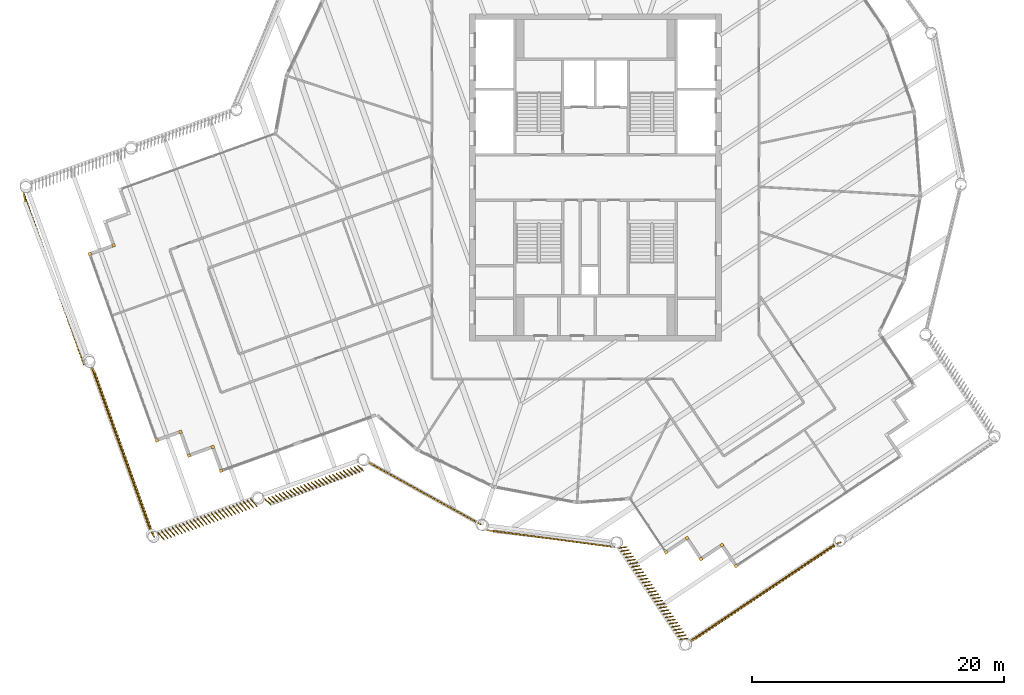
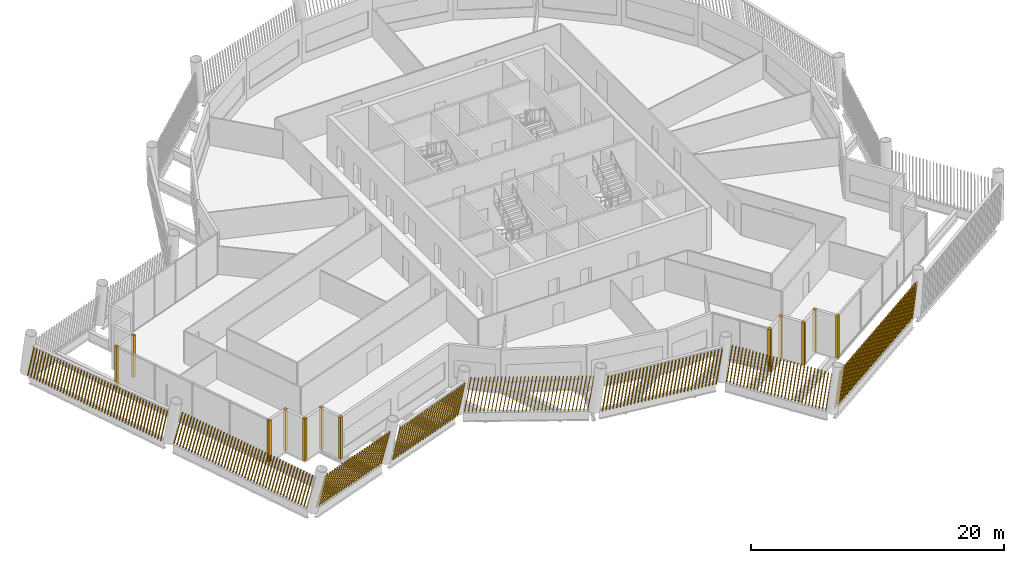
# One storey, part 24 of 28: 20 shading devices.
"""IFC4 building model written with IfcOpenShell, lengths in metres."""

from ifc_helpers import new_model, si_unit, direction, frame, frame_2d, origin, origin_2d, place, context, subcontext, project, spatial, rectangle, composite_profile, extrude, material, type_object, element, save


model = new_model("IFC4")

# Units and contexts
model_context = context("Model", 3, precision=1e-05, world=origin(), true_north=direction((0.0, 1.0)))
body_context = subcontext(model_context, "Body", "Model", "MODEL_VIEW")
ifc_project = project(units=[si_unit("LENGTHUNIT", "METRE"), si_unit("AREAUNIT", "SQUARE_METRE"), si_unit("VOLUMEUNIT", "CUBIC_METRE"), si_unit("PLANEANGLEUNIT", "RADIAN"), si_unit("MASSUNIT", "GRAM", prefix="KILO")], contexts=[model_context])

# Site, building, storey
site_placement = place(None, origin())
site = spatial("IfcSite", under=ifc_project, at=site_placement, CompositionType="ELEMENT")
building_placement = place(site_placement, origin())
building = spatial("IfcBuilding", under=site, at=building_placement, Name="Tarsis Ring Headquarters", CompositionType="ELEMENT")
storey_placement = place(building_placement, frame((0.0, 0.0, 365.0)))
storey = spatial("IfcBuildingStorey", under=building, at=storey_placement, Name="L86", CompositionType="ELEMENT", Elevation=365.0)

# Shading devices
ifc_material = material(Name="Terracotta baguette", Category="masonry")
shading_device_type_1 = type_object("IfcShadingDeviceType", Name="Terracotta baguette screen", PredefinedType="USERDEFINED", material=ifc_material)
shading_device_1_placement = place(storey_placement, frame((-8.645751953125, -28.0263671875, 0.0), z_axis=(0.0, 0.0, 1.0), x_axis=(0.991305434104, -0.131492816989, 0.0)))
element("IfcShadingDevice", 1, at=shading_device_1_placement, inside=storey, type_object=shading_device_type_1, Name="Baguette screen L86-00", ObjectType="Terracotta baguette screen", PredefinedType="USERDEFINED", context=body_context, shape_type="SweptSolid", body=[
    extrude(composite_profile([rectangle(XDim=0.06005859375, YDim=0.1201171875, at=frame_2d((0.030029296875, 0.0))), rectangle(XDim=0.06005859375, YDim=0.1201171875, at=frame_2d((0.33349609375, 0.0))), rectangle(XDim=0.06005859375, YDim=0.1201171875, at=frame_2d((0.636962890625, 0.0))), rectangle(XDim=0.06005859375, YDim=0.1201171875, at=frame_2d((0.9404296875, 0.0))), rectangle(XDim=0.06005859375, YDim=0.1201171875, at=frame_2d((1.243896484375, 0.0))), rectangle(XDim=0.06005859375, YDim=0.1201171875, at=frame_2d((1.54736328125, 0.0))), rectangle(XDim=0.06005859375, YDim=0.1201171875, at=frame_2d((1.85107421875, 0.0))), rectangle(XDim=0.06005859375, YDim=0.1201171875, at=frame_2d((2.154541015625, 0.0))), rectangle(XDim=0.06005859375, YDim=0.1201171875, at=frame_2d((2.4580078125, 0.0))), rectangle(XDim=0.06005859375, YDim=0.1201171875, at=frame_2d((2.761474609375, 0.0))), rectangle(XDim=0.06005859375, YDim=0.1201171875, at=frame_2d((3.06494140625, 0.0))), rectangle(XDim=0.06005859375, YDim=0.1201171875, at=frame_2d((3.368408203125, 0.0))), rectangle(XDim=0.06005859375, YDim=0.1201171875, at=frame_2d((3.671875, 0.0))), rectangle(XDim=0.06005859375, YDim=0.1201171875, at=frame_2d((3.975341796875, 0.0))), rectangle(XDim=0.06005859375, YDim=0.1201171875, at=frame_2d((4.27880859375, 0.0))), rectangle(XDim=0.06005859375, YDim=0.1201171875, at=frame_2d((4.582275390625, 0.0))), rectangle(XDim=0.06005859375, YDim=0.1201171875, at=frame_2d((4.8857421875, 0.0))), rectangle(XDim=0.06005859375, YDim=0.1201171875, at=frame_2d((5.189453125, 0.0))), rectangle(XDim=0.06005859375, YDim=0.1201171875, at=frame_2d((5.492919921875, 0.0))), rectangle(XDim=0.06005859375, YDim=0.1201171875, at=frame_2d((5.79638671875, 0.0))), rectangle(XDim=0.06005859375, YDim=0.1201171875, at=frame_2d((6.099853515625, 0.0))), rectangle(XDim=0.06005859375, YDim=0.1201171875, at=frame_2d((6.4033203125, 0.0))), rectangle(XDim=0.06005859375, YDim=0.1201171875, at=frame_2d((6.706787109375, 0.0))), rectangle(XDim=0.06005859375, YDim=0.1201171875, at=frame_2d((7.01025390625, 0.0))), rectangle(XDim=0.06005859375, YDim=0.1201171875, at=frame_2d((7.313720703125, 0.0))), rectangle(XDim=0.06005859375, YDim=0.1201171875, at=frame_2d((7.6171875, 0.0))), rectangle(XDim=0.06005859375, YDim=0.1201171875, at=frame_2d((7.920654296875, 0.0))), rectangle(XDim=0.06005859375, YDim=0.1201171875, at=frame_2d((8.224365234375, 0.0))), rectangle(XDim=0.06005859375, YDim=0.1201171875, at=frame_2d((8.52783203125, 0.0))), rectangle(XDim=0.06005859375, YDim=0.1201171875, at=frame_2d((8.831298828125, 0.0))), rectangle(XDim=0.06005859375, YDim=0.1201171875, at=frame_2d((9.134765625, 0.0))), rectangle(XDim=0.06005859375, YDim=0.1201171875, at=frame_2d((9.438232421875, 0.0))), rectangle(XDim=0.06005859375, YDim=0.1201171875, at=frame_2d((9.74169921875, 0.0)))]), origin(), (0.157996006674, 0.001436631232, 0.987438705929), 3.322265625),
])
shading_device_2_placement = place(storey_placement, frame((1.864013671875, -29.4208984375, 0.0), z_axis=(0.0, 0.0, 1.0), x_axis=(0.555721931065, -0.831378421096, 0.0)))
element("IfcShadingDevice", 2, at=shading_device_2_placement, inside=storey, type_object=shading_device_type_1, Name="Baguette screen L86-01", ObjectType="Terracotta baguette screen", PredefinedType="USERDEFINED", context=body_context, shape_type="SweptSolid", body=[
    extrude(composite_profile([rectangle(XDim=0.06005859375, YDim=0.1201171875, at=frame_2d((0.030029296875, 0.0))), rectangle(XDim=0.06005859375, YDim=0.1201171875, at=frame_2d((0.33154296875, 0.0))), rectangle(XDim=0.06005859375, YDim=0.1201171875, at=frame_2d((0.633056640625, 0.0))), rectangle(XDim=0.06005859375, YDim=0.1201171875, at=frame_2d((0.9345703125, 0.0))), rectangle(XDim=0.06005859375, YDim=0.1201171875, at=frame_2d((1.236083984375, 0.0))), rectangle(XDim=0.06005859375, YDim=0.1201171875, at=frame_2d((1.53759765625, 0.0))), rectangle(XDim=0.06005859375, YDim=0.1201171875, at=frame_2d((1.839111328125, 0.0))), rectangle(XDim=0.06005859375, YDim=0.1201171875, at=frame_2d((2.140625, 0.0))), rectangle(XDim=0.06005859375, YDim=0.1201171875, at=frame_2d((2.442138671875, 0.0))), rectangle(XDim=0.06005859375, YDim=0.1201171875, at=frame_2d((2.74365234375, 0.0))), rectangle(XDim=0.06005859375, YDim=0.1201171875, at=frame_2d((3.045166015625, 0.0))), rectangle(XDim=0.06005859375, YDim=0.1201171875, at=frame_2d((3.3466796875, 0.0))), rectangle(XDim=0.06005859375, YDim=0.1201171875, at=frame_2d((3.648193359375, 0.0))), rectangle(XDim=0.06005859375, YDim=0.1201171875, at=frame_2d((3.94970703125, 0.0))), rectangle(XDim=0.06005859375, YDim=0.1201171875, at=frame_2d((4.251220703125, 0.0))), rectangle(XDim=0.06005859375, YDim=0.1201171875, at=frame_2d((4.552978515625, 0.0))), rectangle(XDim=0.06005859375, YDim=0.1201171875, at=frame_2d((4.8544921875, 0.0))), rectangle(XDim=0.06005859375, YDim=0.1201171875, at=frame_2d((5.156005859375, 0.0))), rectangle(XDim=0.06005859375, YDim=0.1201171875, at=frame_2d((5.45751953125, 0.0))), rectangle(XDim=0.06005859375, YDim=0.1201171875, at=frame_2d((5.759033203125, 0.0))), rectangle(XDim=0.06005859375, YDim=0.1201171875, at=frame_2d((6.060546875, 0.0))), rectangle(XDim=0.06005859375, YDim=0.1201171875, at=frame_2d((6.362060546875, 0.0))), rectangle(XDim=0.06005859375, YDim=0.1201171875, at=frame_2d((6.66357421875, 0.0))), rectangle(XDim=0.06005859375, YDim=0.1201171875, at=frame_2d((6.965087890625, 0.0))), rectangle(XDim=0.06005859375, YDim=0.1201171875, at=frame_2d((7.2666015625, 0.0))), rectangle(XDim=0.06005859375, YDim=0.1201171875, at=frame_2d((7.568115234375, 0.0))), rectangle(XDim=0.06005859375, YDim=0.1201171875, at=frame_2d((7.86962890625, 0.0))), rectangle(XDim=0.06005859375, YDim=0.1201171875, at=frame_2d((8.171142578125, 0.0))), rectangle(XDim=0.06005859375, YDim=0.1201171875, at=frame_2d((8.47265625, 0.0))), rectangle(XDim=0.06005859375, YDim=0.1201171875, at=frame_2d((8.774169921875, 0.0)))]), origin(), (0.079050036006, 0.163402281674, 0.983387403901), 3.3359375),
])
shading_device_3_placement = place(storey_placement, frame((7.4501953125, -36.87841796875, 0.0), z_axis=(0.0, 0.0, 1.0), x_axis=(0.83138136013, 0.555710848489, 0.0)))
element("IfcShadingDevice", 3, at=shading_device_3_placement, inside=storey, type_object=shading_device_type_1, Name="Baguette screen L86-02", ObjectType="Terracotta baguette screen", PredefinedType="USERDEFINED", context=body_context, shape_type="SweptSolid", body=[
    extrude(composite_profile([rectangle(XDim=0.06005859375, YDim=0.1201171875, at=frame_2d((0.030029296875, 0.0))), rectangle(XDim=0.06005859375, YDim=0.1201171875, at=frame_2d((0.33544921875, 0.0))), rectangle(XDim=0.06005859375, YDim=0.1201171875, at=frame_2d((0.640625, 0.0))), rectangle(XDim=0.06005859375, YDim=0.1201171875, at=frame_2d((0.946044921875, 0.0))), rectangle(XDim=0.06005859375, YDim=0.1201171875, at=frame_2d((1.25146484375, 0.0))), rectangle(XDim=0.06005859375, YDim=0.1201171875, at=frame_2d((1.556640625, 0.0))), rectangle(XDim=0.06005859375, YDim=0.1201171875, at=frame_2d((1.862060546875, 0.0))), rectangle(XDim=0.06005859375, YDim=0.1201171875, at=frame_2d((2.16748046875, 0.0))), rectangle(XDim=0.06005859375, YDim=0.1201171875, at=frame_2d((2.47265625, 0.0))), rectangle(XDim=0.06005859375, YDim=0.1201171875, at=frame_2d((2.778076171875, 0.0))), rectangle(XDim=0.06005859375, YDim=0.1201171875, at=frame_2d((3.08349609375, 0.0))), rectangle(XDim=0.06005859375, YDim=0.1201171875, at=frame_2d((3.388671875, 0.0))), rectangle(XDim=0.06005859375, YDim=0.1201171875, at=frame_2d((3.694091796875, 0.0))), rectangle(XDim=0.06005859375, YDim=0.1201171875, at=frame_2d((3.99951171875, 0.0))), rectangle(XDim=0.06005859375, YDim=0.1201171875, at=frame_2d((4.3046875, 0.0))), rectangle(XDim=0.06005859375, YDim=0.1201171875, at=frame_2d((4.610107421875, 0.0))), rectangle(XDim=0.06005859375, YDim=0.1201171875, at=frame_2d((4.91552734375, 0.0))), rectangle(XDim=0.06005859375, YDim=0.1201171875, at=frame_2d((5.220703125, 0.0))), rectangle(XDim=0.06005859375, YDim=0.1201171875, at=frame_2d((5.526123046875, 0.0))), rectangle(XDim=0.06005859375, YDim=0.1201171875, at=frame_2d((5.83154296875, 0.0))), rectangle(XDim=0.06005859375, YDim=0.1201171875, at=frame_2d((6.13671875, 0.0))), rectangle(XDim=0.06005859375, YDim=0.1201171875, at=frame_2d((6.442138671875, 0.0))), rectangle(XDim=0.06005859375, YDim=0.1201171875, at=frame_2d((6.74755859375, 0.0))), rectangle(XDim=0.06005859375, YDim=0.1201171875, at=frame_2d((7.052734375, 0.0))), rectangle(XDim=0.06005859375, YDim=0.1201171875, at=frame_2d((7.358154296875, 0.0))), rectangle(XDim=0.06005859375, YDim=0.1201171875, at=frame_2d((7.66357421875, 0.0))), rectangle(XDim=0.06005859375, YDim=0.1201171875, at=frame_2d((7.96875, 0.0))), rectangle(XDim=0.06005859375, YDim=0.1201171875, at=frame_2d((8.274169921875, 0.0))), rectangle(XDim=0.06005859375, YDim=0.1201171875, at=frame_2d((8.57958984375, 0.0))), rectangle(XDim=0.06005859375, YDim=0.1201171875, at=frame_2d((8.884765625, 0.0))), rectangle(XDim=0.06005859375, YDim=0.1201171875, at=frame_2d((9.190185546875, 0.0))), rectangle(XDim=0.06005859375, YDim=0.1201171875, at=frame_2d((9.49560546875, 0.0))), rectangle(XDim=0.06005859375, YDim=0.1201171875, at=frame_2d((9.80078125, 0.0))), rectangle(XDim=0.06005859375, YDim=0.1201171875, at=frame_2d((10.106201171875, 0.0))), rectangle(XDim=0.06005859375, YDim=0.1201171875, at=frame_2d((10.41162109375, 0.0))), rectangle(XDim=0.06005859375, YDim=0.1201171875, at=frame_2d((10.716796875, 0.0))), rectangle(XDim=0.06005859375, YDim=0.1201171875, at=frame_2d((11.022216796875, 0.0))), rectangle(XDim=0.06005859375, YDim=0.1201171875, at=frame_2d((11.32763671875, 0.0))), rectangle(XDim=0.06005859375, YDim=0.1201171875, at=frame_2d((11.6328125, 0.0))), rectangle(XDim=0.06005859375, YDim=0.1201171875, at=frame_2d((11.938232421875, 0.0))), rectangle(XDim=0.06005859375, YDim=0.1201171875, at=frame_2d((12.24365234375, 0.0))), rectangle(XDim=0.06005859375, YDim=0.1201171875, at=frame_2d((12.548828125, 0.0))), rectangle(XDim=0.06005859375, YDim=0.1201171875, at=frame_2d((12.854248046875, 0.0))), rectangle(XDim=0.06005859375, YDim=0.1201171875, at=frame_2d((13.15966796875, 0.0))), rectangle(XDim=0.06005859375, YDim=0.1201171875, at=frame_2d((13.46484375, 0.0))), rectangle(XDim=0.06005859375, YDim=0.1201171875, at=frame_2d((13.770263671875, 0.0)))]), origin(), (0.189281231167, -0.03845566666, 0.981169596568), 3.343505859375),
])
shading_device_4_placement = place(storey_placement, frame((-45.46728515625, -1.138671875, 0.0), z_axis=(0.0, 0.0, 1.0), x_axis=(0.338086476541, -0.941122355106, 0.0)))
element("IfcShadingDevice", 4, at=shading_device_4_placement, inside=storey, type_object=shading_device_type_1, Name="Baguette screen L86-15", ObjectType="Terracotta baguette screen", PredefinedType="USERDEFINED", context=body_context, shape_type="SweptSolid", body=[
    extrude(composite_profile([rectangle(XDim=0.06005859375, YDim=0.1201171875, at=frame_2d((0.030029296875, 0.0))), rectangle(XDim=0.06005859375, YDim=0.1201171875, at=frame_2d((0.33544921875, 0.0))), rectangle(XDim=0.06005859375, YDim=0.1201171875, at=frame_2d((0.640625, 0.0))), rectangle(XDim=0.06005859375, YDim=0.1201171875, at=frame_2d((0.946044921875, 0.0))), rectangle(XDim=0.06005859375, YDim=0.1201171875, at=frame_2d((1.25146484375, 0.0))), rectangle(XDim=0.06005859375, YDim=0.1201171875, at=frame_2d((1.556640625, 0.0))), rectangle(XDim=0.06005859375, YDim=0.1201171875, at=frame_2d((1.862060546875, 0.0))), rectangle(XDim=0.06005859375, YDim=0.1201171875, at=frame_2d((2.16748046875, 0.0))), rectangle(XDim=0.06005859375, YDim=0.1201171875, at=frame_2d((2.47265625, 0.0))), rectangle(XDim=0.06005859375, YDim=0.1201171875, at=frame_2d((2.778076171875, 0.0))), rectangle(XDim=0.06005859375, YDim=0.1201171875, at=frame_2d((3.08349609375, 0.0))), rectangle(XDim=0.06005859375, YDim=0.1201171875, at=frame_2d((3.388671875, 0.0))), rectangle(XDim=0.06005859375, YDim=0.1201171875, at=frame_2d((3.694091796875, 0.0))), rectangle(XDim=0.06005859375, YDim=0.1201171875, at=frame_2d((3.99951171875, 0.0))), rectangle(XDim=0.06005859375, YDim=0.1201171875, at=frame_2d((4.3046875, 0.0))), rectangle(XDim=0.06005859375, YDim=0.1201171875, at=frame_2d((4.610107421875, 0.0))), rectangle(XDim=0.06005859375, YDim=0.1201171875, at=frame_2d((4.91552734375, 0.0))), rectangle(XDim=0.06005859375, YDim=0.1201171875, at=frame_2d((5.220703125, 0.0))), rectangle(XDim=0.06005859375, YDim=0.1201171875, at=frame_2d((5.526123046875, 0.0))), rectangle(XDim=0.06005859375, YDim=0.1201171875, at=frame_2d((5.83154296875, 0.0))), rectangle(XDim=0.06005859375, YDim=0.1201171875, at=frame_2d((6.13671875, 0.0))), rectangle(XDim=0.06005859375, YDim=0.1201171875, at=frame_2d((6.442138671875, 0.0))), rectangle(XDim=0.06005859375, YDim=0.1201171875, at=frame_2d((6.74755859375, 0.0))), rectangle(XDim=0.06005859375, YDim=0.1201171875, at=frame_2d((7.052734375, 0.0))), rectangle(XDim=0.06005859375, YDim=0.1201171875, at=frame_2d((7.358154296875, 0.0))), rectangle(XDim=0.06005859375, YDim=0.1201171875, at=frame_2d((7.66357421875, 0.0))), rectangle(XDim=0.06005859375, YDim=0.1201171875, at=frame_2d((7.96875, 0.0))), rectangle(XDim=0.06005859375, YDim=0.1201171875, at=frame_2d((8.274169921875, 0.0))), rectangle(XDim=0.06005859375, YDim=0.1201171875, at=frame_2d((8.57958984375, 0.0))), rectangle(XDim=0.06005859375, YDim=0.1201171875, at=frame_2d((8.884765625, 0.0))), rectangle(XDim=0.06005859375, YDim=0.1201171875, at=frame_2d((9.190185546875, 0.0))), rectangle(XDim=0.06005859375, YDim=0.1201171875, at=frame_2d((9.49560546875, 0.0))), rectangle(XDim=0.06005859375, YDim=0.1201171875, at=frame_2d((9.80078125, 0.0))), rectangle(XDim=0.06005859375, YDim=0.1201171875, at=frame_2d((10.106201171875, 0.0))), rectangle(XDim=0.06005859375, YDim=0.1201171875, at=frame_2d((10.41162109375, 0.0))), rectangle(XDim=0.06005859375, YDim=0.1201171875, at=frame_2d((10.716796875, 0.0))), rectangle(XDim=0.06005859375, YDim=0.1201171875, at=frame_2d((11.022216796875, 0.0))), rectangle(XDim=0.06005859375, YDim=0.1201171875, at=frame_2d((11.32763671875, 0.0))), rectangle(XDim=0.06005859375, YDim=0.1201171875, at=frame_2d((11.6328125, 0.0))), rectangle(XDim=0.06005859375, YDim=0.1201171875, at=frame_2d((11.938232421875, 0.0))), rectangle(XDim=0.06005859375, YDim=0.1201171875, at=frame_2d((12.24365234375, 0.0))), rectangle(XDim=0.06005859375, YDim=0.1201171875, at=frame_2d((12.548828125, 0.0))), rectangle(XDim=0.06005859375, YDim=0.1201171875, at=frame_2d((12.854248046875, 0.0))), rectangle(XDim=0.06005859375, YDim=0.1201171875, at=frame_2d((13.15966796875, 0.0))), rectangle(XDim=0.06005859375, YDim=0.1201171875, at=frame_2d((13.46484375, 0.0))), rectangle(XDim=0.06005859375, YDim=0.1201171875, at=frame_2d((13.770263671875, 0.0)))]), origin(), (0.232519282133, -0.037684799193, 0.971861430115), 3.37548828125),
])
shading_device_5_placement = place(storey_placement, frame((-40.11083984375, -14.9404296875, 0.0), z_axis=(0.0, 0.0, 1.0), x_axis=(0.338086476541, -0.941122355106, 0.0)))
element("IfcShadingDevice", 5, at=shading_device_5_placement, inside=storey, type_object=shading_device_type_1, Name="Baguette screen L86-16", ObjectType="Terracotta baguette screen", PredefinedType="USERDEFINED", context=body_context, shape_type="SweptSolid", body=[
    extrude(composite_profile([rectangle(XDim=0.06005859375, YDim=0.1201171875, at=frame_2d((0.030029296875, 0.0))), rectangle(XDim=0.06005859375, YDim=0.1201171875, at=frame_2d((0.33544921875, 0.0))), rectangle(XDim=0.06005859375, YDim=0.1201171875, at=frame_2d((0.640625, 0.0))), rectangle(XDim=0.06005859375, YDim=0.1201171875, at=frame_2d((0.946044921875, 0.0))), rectangle(XDim=0.06005859375, YDim=0.1201171875, at=frame_2d((1.25146484375, 0.0))), rectangle(XDim=0.06005859375, YDim=0.1201171875, at=frame_2d((1.556640625, 0.0))), rectangle(XDim=0.06005859375, YDim=0.1201171875, at=frame_2d((1.862060546875, 0.0))), rectangle(XDim=0.06005859375, YDim=0.1201171875, at=frame_2d((2.16748046875, 0.0))), rectangle(XDim=0.06005859375, YDim=0.1201171875, at=frame_2d((2.47265625, 0.0))), rectangle(XDim=0.06005859375, YDim=0.1201171875, at=frame_2d((2.778076171875, 0.0))), rectangle(XDim=0.06005859375, YDim=0.1201171875, at=frame_2d((3.08349609375, 0.0))), rectangle(XDim=0.06005859375, YDim=0.1201171875, at=frame_2d((3.388671875, 0.0))), rectangle(XDim=0.06005859375, YDim=0.1201171875, at=frame_2d((3.694091796875, 0.0))), rectangle(XDim=0.06005859375, YDim=0.1201171875, at=frame_2d((3.99951171875, 0.0))), rectangle(XDim=0.06005859375, YDim=0.1201171875, at=frame_2d((4.3046875, 0.0))), rectangle(XDim=0.06005859375, YDim=0.1201171875, at=frame_2d((4.610107421875, 0.0))), rectangle(XDim=0.06005859375, YDim=0.1201171875, at=frame_2d((4.91552734375, 0.0))), rectangle(XDim=0.06005859375, YDim=0.1201171875, at=frame_2d((5.220703125, 0.0))), rectangle(XDim=0.06005859375, YDim=0.1201171875, at=frame_2d((5.526123046875, 0.0))), rectangle(XDim=0.06005859375, YDim=0.1201171875, at=frame_2d((5.83154296875, 0.0))), rectangle(XDim=0.06005859375, YDim=0.1201171875, at=frame_2d((6.13671875, 0.0))), rectangle(XDim=0.06005859375, YDim=0.1201171875, at=frame_2d((6.442138671875, 0.0))), rectangle(XDim=0.06005859375, YDim=0.1201171875, at=frame_2d((6.74755859375, 0.0))), rectangle(XDim=0.06005859375, YDim=0.1201171875, at=frame_2d((7.052734375, 0.0))), rectangle(XDim=0.06005859375, YDim=0.1201171875, at=frame_2d((7.358154296875, 0.0))), rectangle(XDim=0.06005859375, YDim=0.1201171875, at=frame_2d((7.66357421875, 0.0))), rectangle(XDim=0.06005859375, YDim=0.1201171875, at=frame_2d((7.96875, 0.0))), rectangle(XDim=0.06005859375, YDim=0.1201171875, at=frame_2d((8.274169921875, 0.0))), rectangle(XDim=0.06005859375, YDim=0.1201171875, at=frame_2d((8.57958984375, 0.0))), rectangle(XDim=0.06005859375, YDim=0.1201171875, at=frame_2d((8.884765625, 0.0))), rectangle(XDim=0.06005859375, YDim=0.1201171875, at=frame_2d((9.190185546875, 0.0))), rectangle(XDim=0.06005859375, YDim=0.1201171875, at=frame_2d((9.49560546875, 0.0))), rectangle(XDim=0.06005859375, YDim=0.1201171875, at=frame_2d((9.80078125, 0.0))), rectangle(XDim=0.06005859375, YDim=0.1201171875, at=frame_2d((10.106201171875, 0.0))), rectangle(XDim=0.06005859375, YDim=0.1201171875, at=frame_2d((10.41162109375, 0.0))), rectangle(XDim=0.06005859375, YDim=0.1201171875, at=frame_2d((10.716796875, 0.0))), rectangle(XDim=0.06005859375, YDim=0.1201171875, at=frame_2d((11.022216796875, 0.0))), rectangle(XDim=0.06005859375, YDim=0.1201171875, at=frame_2d((11.32763671875, 0.0))), rectangle(XDim=0.06005859375, YDim=0.1201171875, at=frame_2d((11.6328125, 0.0))), rectangle(XDim=0.06005859375, YDim=0.1201171875, at=frame_2d((11.938232421875, 0.0))), rectangle(XDim=0.06005859375, YDim=0.1201171875, at=frame_2d((12.24365234375, 0.0))), rectangle(XDim=0.06005859375, YDim=0.1201171875, at=frame_2d((12.548828125, 0.0))), rectangle(XDim=0.06005859375, YDim=0.1201171875, at=frame_2d((12.854248046875, 0.0))), rectangle(XDim=0.06005859375, YDim=0.1201171875, at=frame_2d((13.15966796875, 0.0))), rectangle(XDim=0.06005859375, YDim=0.1201171875, at=frame_2d((13.46484375, 0.0))), rectangle(XDim=0.06005859375, YDim=0.1201171875, at=frame_2d((13.770263671875, 0.0)))]), origin(), (0.229888006765, 0.041898431858, 0.972314777093), 3.3740234375),
])
shading_device_6_placement = place(storey_placement, frame((-34.8056640625, -28.229248046875, 0.0), z_axis=(0.0, 0.0, 1.0), x_axis=(0.941114681167, 0.338049925853, 0.0)))
element("IfcShadingDevice", 6, at=shading_device_6_placement, inside=storey, type_object=shading_device_type_1, Name="Baguette screen L86-17", ObjectType="Terracotta baguette screen", PredefinedType="USERDEFINED", context=body_context, shape_type="SweptSolid", body=[
    extrude(composite_profile([rectangle(XDim=0.06005859375, YDim=0.1201171875, at=frame_2d((0.030029296875, 0.0))), rectangle(XDim=0.06005859375, YDim=0.1201171875, at=frame_2d((0.33154296875, 0.0))), rectangle(XDim=0.06005859375, YDim=0.1201171875, at=frame_2d((0.63330078125, 0.0))), rectangle(XDim=0.06005859375, YDim=0.1201171875, at=frame_2d((0.934814453125, 0.0))), rectangle(XDim=0.06005859375, YDim=0.1201171875, at=frame_2d((1.236572265625, 0.0))), rectangle(XDim=0.06005859375, YDim=0.1201171875, at=frame_2d((1.5380859375, 0.0))), rectangle(XDim=0.06005859375, YDim=0.1201171875, at=frame_2d((1.83984375, 0.0))), rectangle(XDim=0.06005859375, YDim=0.1201171875, at=frame_2d((2.141357421875, 0.0))), rectangle(XDim=0.06005859375, YDim=0.1201171875, at=frame_2d((2.443115234375, 0.0))), rectangle(XDim=0.06005859375, YDim=0.1201171875, at=frame_2d((2.74462890625, 0.0))), rectangle(XDim=0.06005859375, YDim=0.1201171875, at=frame_2d((3.04638671875, 0.0))), rectangle(XDim=0.06005859375, YDim=0.1201171875, at=frame_2d((3.347900390625, 0.0))), rectangle(XDim=0.06005859375, YDim=0.1201171875, at=frame_2d((3.649658203125, 0.0))), rectangle(XDim=0.06005859375, YDim=0.1201171875, at=frame_2d((3.951171875, 0.0))), rectangle(XDim=0.06005859375, YDim=0.1201171875, at=frame_2d((4.252685546875, 0.0))), rectangle(XDim=0.06005859375, YDim=0.1201171875, at=frame_2d((4.554443359375, 0.0))), rectangle(XDim=0.06005859375, YDim=0.1201171875, at=frame_2d((4.85595703125, 0.0))), rectangle(XDim=0.06005859375, YDim=0.1201171875, at=frame_2d((5.15771484375, 0.0))), rectangle(XDim=0.06005859375, YDim=0.1201171875, at=frame_2d((5.459228515625, 0.0))), rectangle(XDim=0.06005859375, YDim=0.1201171875, at=frame_2d((5.760986328125, 0.0))), rectangle(XDim=0.06005859375, YDim=0.1201171875, at=frame_2d((6.0625, 0.0))), rectangle(XDim=0.06005859375, YDim=0.1201171875, at=frame_2d((6.3642578125, 0.0))), rectangle(XDim=0.06005859375, YDim=0.1201171875, at=frame_2d((6.665771484375, 0.0))), rectangle(XDim=0.06005859375, YDim=0.1201171875, at=frame_2d((6.967529296875, 0.0))), rectangle(XDim=0.06005859375, YDim=0.1201171875, at=frame_2d((7.26904296875, 0.0))), rectangle(XDim=0.06005859375, YDim=0.1201171875, at=frame_2d((7.57080078125, 0.0))), rectangle(XDim=0.06005859375, YDim=0.1201171875, at=frame_2d((7.872314453125, 0.0)))]), origin(), (0.081728893717, -0.206163488403, 0.975098458609), 3.3642578125),
])
shading_device_7_placement = place(storey_placement, frame((-26.30078125, -25.572509765625, 0.0), z_axis=(0.0, 0.0, 1.0), x_axis=(0.941112861865, 0.33806037013, 0.0)))
element("IfcShadingDevice", 7, at=shading_device_7_placement, inside=storey, type_object=shading_device_type_1, Name="Baguette screen L86-18", ObjectType="Terracotta baguette screen", PredefinedType="USERDEFINED", context=body_context, shape_type="SweptSolid", body=[
    extrude(composite_profile([rectangle(XDim=0.06005859375, YDim=0.1201171875, at=frame_2d((0.030029296875, 0.0))), rectangle(XDim=0.06005859375, YDim=0.1201171875, at=frame_2d((0.33154296875, 0.0))), rectangle(XDim=0.06005859375, YDim=0.1201171875, at=frame_2d((0.63330078125, 0.0))), rectangle(XDim=0.06005859375, YDim=0.1201171875, at=frame_2d((0.934814453125, 0.0))), rectangle(XDim=0.06005859375, YDim=0.1201171875, at=frame_2d((1.236572265625, 0.0))), rectangle(XDim=0.06005859375, YDim=0.1201171875, at=frame_2d((1.5380859375, 0.0))), rectangle(XDim=0.06005859375, YDim=0.1201171875, at=frame_2d((1.83984375, 0.0))), rectangle(XDim=0.06005859375, YDim=0.1201171875, at=frame_2d((2.141357421875, 0.0))), rectangle(XDim=0.06005859375, YDim=0.1201171875, at=frame_2d((2.443115234375, 0.0))), rectangle(XDim=0.06005859375, YDim=0.1201171875, at=frame_2d((2.74462890625, 0.0))), rectangle(XDim=0.06005859375, YDim=0.1201171875, at=frame_2d((3.04638671875, 0.0))), rectangle(XDim=0.06005859375, YDim=0.1201171875, at=frame_2d((3.347900390625, 0.0))), rectangle(XDim=0.06005859375, YDim=0.1201171875, at=frame_2d((3.649658203125, 0.0))), rectangle(XDim=0.06005859375, YDim=0.1201171875, at=frame_2d((3.951171875, 0.0))), rectangle(XDim=0.06005859375, YDim=0.1201171875, at=frame_2d((4.252685546875, 0.0))), rectangle(XDim=0.06005859375, YDim=0.1201171875, at=frame_2d((4.554443359375, 0.0))), rectangle(XDim=0.06005859375, YDim=0.1201171875, at=frame_2d((4.85595703125, 0.0))), rectangle(XDim=0.06005859375, YDim=0.1201171875, at=frame_2d((5.15771484375, 0.0))), rectangle(XDim=0.06005859375, YDim=0.1201171875, at=frame_2d((5.459228515625, 0.0))), rectangle(XDim=0.06005859375, YDim=0.1201171875, at=frame_2d((5.760986328125, 0.0))), rectangle(XDim=0.06005859375, YDim=0.1201171875, at=frame_2d((6.0625, 0.0))), rectangle(XDim=0.06005859375, YDim=0.1201171875, at=frame_2d((6.3642578125, 0.0))), rectangle(XDim=0.06005859375, YDim=0.1201171875, at=frame_2d((6.665771484375, 0.0))), rectangle(XDim=0.06005859375, YDim=0.1201171875, at=frame_2d((6.967529296875, 0.0))), rectangle(XDim=0.06005859375, YDim=0.1201171875, at=frame_2d((7.26904296875, 0.0))), rectangle(XDim=0.06005859375, YDim=0.1201171875, at=frame_2d((7.57080078125, 0.0))), rectangle(XDim=0.06005859375, YDim=0.1201171875, at=frame_2d((7.872314453125, 0.0)))]), origin(), (0.084040685729, -0.159499823998, 0.983614238046), 3.335205078125),
])
shading_device_8_placement = place(storey_placement, frame((-18.08251953125, -22.620849609375, 0.0), z_axis=(0.0, 0.0, 1.0), x_axis=(0.875252966896, -0.48367270456, 0.0)))
element("IfcShadingDevice", 8, at=shading_device_8_placement, inside=storey, type_object=shading_device_type_1, Name="Baguette screen L86-19", ObjectType="Terracotta baguette screen", PredefinedType="USERDEFINED", context=body_context, shape_type="SweptSolid", body=[
    extrude(composite_profile([rectangle(XDim=0.06005859375, YDim=0.1201171875, at=frame_2d((0.030029296875, 0.0))), rectangle(XDim=0.06005859375, YDim=0.1201171875, at=frame_2d((0.33349609375, 0.0))), rectangle(XDim=0.06005859375, YDim=0.1201171875, at=frame_2d((0.636962890625, 0.0))), rectangle(XDim=0.06005859375, YDim=0.1201171875, at=frame_2d((0.9404296875, 0.0))), rectangle(XDim=0.06005859375, YDim=0.1201171875, at=frame_2d((1.243896484375, 0.0))), rectangle(XDim=0.06005859375, YDim=0.1201171875, at=frame_2d((1.54736328125, 0.0))), rectangle(XDim=0.06005859375, YDim=0.1201171875, at=frame_2d((1.85107421875, 0.0))), rectangle(XDim=0.06005859375, YDim=0.1201171875, at=frame_2d((2.154541015625, 0.0))), rectangle(XDim=0.06005859375, YDim=0.1201171875, at=frame_2d((2.4580078125, 0.0))), rectangle(XDim=0.06005859375, YDim=0.1201171875, at=frame_2d((2.761474609375, 0.0))), rectangle(XDim=0.06005859375, YDim=0.1201171875, at=frame_2d((3.06494140625, 0.0))), rectangle(XDim=0.06005859375, YDim=0.1201171875, at=frame_2d((3.368408203125, 0.0))), rectangle(XDim=0.06005859375, YDim=0.1201171875, at=frame_2d((3.671875, 0.0))), rectangle(XDim=0.06005859375, YDim=0.1201171875, at=frame_2d((3.975341796875, 0.0))), rectangle(XDim=0.06005859375, YDim=0.1201171875, at=frame_2d((4.27880859375, 0.0))), rectangle(XDim=0.06005859375, YDim=0.1201171875, at=frame_2d((4.582275390625, 0.0))), rectangle(XDim=0.06005859375, YDim=0.1201171875, at=frame_2d((4.8857421875, 0.0))), rectangle(XDim=0.06005859375, YDim=0.1201171875, at=frame_2d((5.189453125, 0.0))), rectangle(XDim=0.06005859375, YDim=0.1201171875, at=frame_2d((5.492919921875, 0.0))), rectangle(XDim=0.06005859375, YDim=0.1201171875, at=frame_2d((5.79638671875, 0.0))), rectangle(XDim=0.06005859375, YDim=0.1201171875, at=frame_2d((6.099853515625, 0.0))), rectangle(XDim=0.06005859375, YDim=0.1201171875, at=frame_2d((6.4033203125, 0.0))), rectangle(XDim=0.06005859375, YDim=0.1201171875, at=frame_2d((6.706787109375, 0.0))), rectangle(XDim=0.06005859375, YDim=0.1201171875, at=frame_2d((7.01025390625, 0.0))), rectangle(XDim=0.06005859375, YDim=0.1201171875, at=frame_2d((7.313720703125, 0.0))), rectangle(XDim=0.06005859375, YDim=0.1201171875, at=frame_2d((7.6171875, 0.0))), rectangle(XDim=0.06005859375, YDim=0.1201171875, at=frame_2d((7.920654296875, 0.0))), rectangle(XDim=0.06005859375, YDim=0.1201171875, at=frame_2d((8.224365234375, 0.0))), rectangle(XDim=0.06005859375, YDim=0.1201171875, at=frame_2d((8.52783203125, 0.0))), rectangle(XDim=0.06005859375, YDim=0.1201171875, at=frame_2d((8.831298828125, 0.0))), rectangle(XDim=0.06005859375, YDim=0.1201171875, at=frame_2d((9.134765625, 0.0))), rectangle(XDim=0.06005859375, YDim=0.1201171875, at=frame_2d((9.438232421875, 0.0))), rectangle(XDim=0.06005859375, YDim=0.1201171875, at=frame_2d((9.74169921875, 0.0)))]), origin(), (0.155999725646, 0.001417249322, 0.987756081734), 3.3212890625),
])
shading_device_type_2 = type_object("IfcShadingDeviceType", Name="Terracotta corner baguette 250x250", PredefinedType="USERDEFINED", material=ifc_material)
for number, where, z_axis, x_axis, name in (
    (9, (-29.747802734375, -23.304443359375, 0.0), (0.0, 0.0, 1.0), (0.33808101191, -0.941117011527, 0.0), "Corner baguette L86-01"),
    (10, (5.617919921875, -29.773681640625, 0.0), (0.0, 0.0, 1.0), (0.555715488483, -0.83137253735, 0.0), "Corner baguette L86-07"),
    (11, (7.28076171875, -28.662109375, 0.0), (0.0, 0.0, 1.0), (0.83137275073, 0.555715169258, 0.0), "Corner baguette L86-08"),
    (12, (8.39208984375, -30.324951171875, 0.0), (0.0, 0.0, 1.0), (0.55571528534, -0.831372673137, 0.0), "Corner baguette L86-09"),
    (13, (10.054931640625, -29.213623046875, 0.0), (0.0, 0.0, 1.0), (0.831372673137, 0.55571528534, 0.0), "Corner baguette L86-10"),
    (14, (11.166259765625, -30.876220703125, 0.0), (0.0, 0.0, 1.0), (0.555715169258, -0.83137275073, 0.0), "Corner baguette L86-11"),
    (15, (-38.30712890625, -5.3935546875, 0.0), (0.0, 0.0, 1.0), (0.33808115974, -0.941116958422, 0.0), "Corner baguette L86-35"),
    (16, (-40.189453125, -6.069580078125, 0.0), (0.0, 0.0, 1.0), (-0.941117070533, -0.338080847654, 0.0), "Corner baguette L86-36"),
    (17, (-34.86474609375, -20.892333984375, 0.0), (0.0, 0.0, 1.0), (0.33808101191, -0.941117011527, 0.0), "Corner baguette L86-37"),
    (18, (-32.982421875, -20.216064453125, 0.0), (0.0, 0.0, 1.0), (0.941117011527, 0.33808101191, 0.0), "Corner baguette L86-38"),
    (19, (-32.30615234375, -22.098388671875, 0.0), (0.0, 0.0, 1.0), (0.338080847654, -0.941117070533, 0.0), "Corner baguette L86-39"),
    (20, (-30.424072265625, -21.422119140625, 0.0), (0.0, 0.0, 1.0), (0.941117011527, 0.33808101191, 0.0), "Corner baguette L86-40"),
):
    element("IfcShadingDevice", number, at=place(storey_placement, frame(where, z_axis=z_axis, x_axis=x_axis)), inside=storey, type_object=shading_device_type_2, Name=name, ObjectType="Terracotta corner baguette", PredefinedType="USERDEFINED", context=body_context, shape_type="SweptSolid", body=[
        extrude(rectangle(XDim=0.25, YDim=0.25, at=origin_2d()), origin(), (0.0, 0.0, 1.0), 4.0400390625),
    ])

save(model, "model.ifc")
